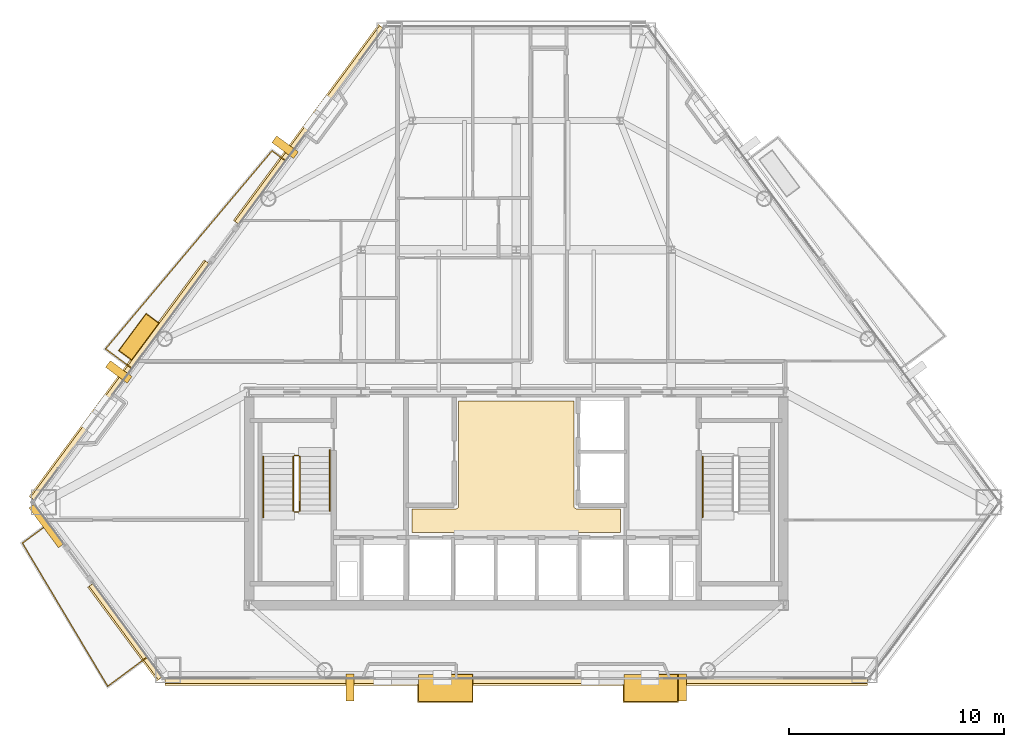
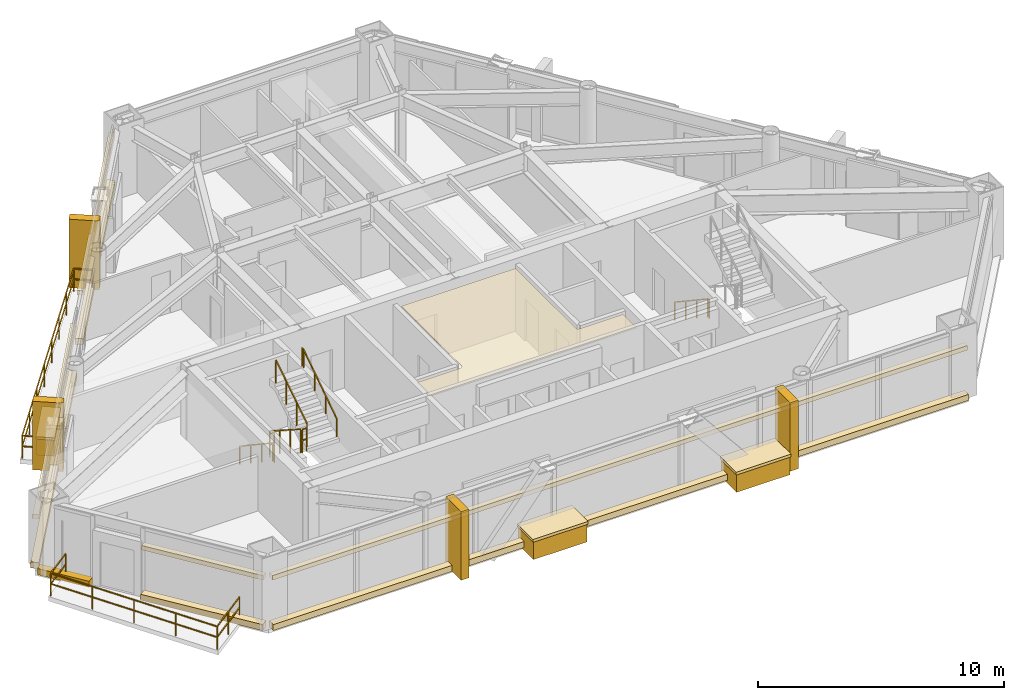
# One storey, part 11 of 13: 20 coverings, 9 railings.
"""IFC4 building model written with IfcOpenShell, lengths in metres."""

from ifc_helpers import new_model, si_unit, direction, frame, origin, origin_2d, place, context, subcontext, project, spatial, polyline, rectangle, outline, extrude, material, layer, layer_set, type_object, element, save


model = new_model("IFC4")

# Units and contexts
model_context = context("Model", 3, precision=1e-05, world=origin(), true_north=direction((0.0, 1.0)))
body_context = subcontext(model_context, "Body", "Model", "MODEL_VIEW")
ifc_project = project(units=[si_unit("LENGTHUNIT", "METRE"), si_unit("AREAUNIT", "SQUARE_METRE"), si_unit("VOLUMEUNIT", "CUBIC_METRE"), si_unit("PLANEANGLEUNIT", "RADIAN"), si_unit("MASSUNIT", "GRAM", prefix="KILO")], contexts=[model_context])

# Site, building, storey
site_placement = place(None, origin())
site = spatial("IfcSite", under=ifc_project, at=site_placement, CompositionType="ELEMENT")
building_placement = place(site_placement, origin())
building = spatial("IfcBuilding", under=site, at=building_placement, Name="Talgorran Terracotta Tower", CompositionType="ELEMENT")
storey_placement = place(building_placement, frame((0.0, 0.0, 106.800048828125)))
storey = spatial("IfcBuildingStorey", under=building, at=storey_placement, Name="L27", CompositionType="ELEMENT", Elevation=106.800048828125)

# Coverings
ifc_material_1 = material(Name="Kiln-Fired Terracotta Ochre Ceramic", Category="masonry")
ifc_layer_1 = layer(ifc_material_1, 0.179931640625, Name="COV_BAGUETTE_TERRACOTTA_SCREEN")
ifc_layer_set_1 = layer_set([ifc_layer_1], Name="Kiln-Fired Terracotta Ochre Ceramic")
covering_type_1 = type_object("IfcCoveringType", Name="COV_BAGUETTE_TERRACOTTA_SCREEN", PredefinedType="CLADDING", material=ifc_layer_set_1)
covering_1_placement = place(storey_placement, frame((-18.11865234375, -15.311279296875, 2.41015625), z_axis=(0.0, 0.0, 1.0), x_axis=(0.594920991954, -0.803784183305, 0.0)))
element("IfcCovering", 1, at=covering_1_placement, inside=storey, type_object=covering_type_1, Name="L27 Terracotta Baguette Solar Screen Assembly F11", PredefinedType="CLADDING", context=body_context, shape_type="SweptSolid", body=[
    extrude(rectangle(XDim=5.39306640625, YDim=0.260009765625, at=origin_2d()), origin(), (0.0, 0.0, 1.0), 0.219970703125),
])
covering_2_placement = place(storey_placement, frame((0.0, -17.60791015625, 2.41015625), z_axis=(0.0, 0.0, 1.0), x_axis=(1.0, 0.0, 0.0)))
element("IfcCovering", 2, at=covering_2_placement, inside=storey, type_object=covering_type_1, Name="L27 Terracotta Baguette Solar Screen Assembly F1", PredefinedType="CLADDING", context=body_context, shape_type="SweptSolid", body=[
    extrude(rectangle(XDim=32.59716796875, YDim=0.260009765625, at=origin_2d()), origin(), (0.0, 0.0, 1.0), 0.219970703125),
])
covering_3_placement = place(storey_placement, frame((-9.59814453125, 8.1923828125, 2.41015625), z_axis=(0.0, 0.0, 1.0), x_axis=(-0.594906963183, -0.803794566513, 0.0)))
element("IfcCovering", 3, at=covering_3_placement, inside=storey, type_object=covering_type_1, Name="L27 Terracotta Baguette Solar Screen Assembly F60", PredefinedType="CLADDING", context=body_context, shape_type="SweptSolid", body=[
    extrude(rectangle(XDim=11.298583984375, YDim=0.260009765625, at=origin_2d()), origin(), (0.0, 0.0, 1.0), 0.219970703125),
])
covering_4_placement = place(storey_placement, frame((-18.386962890625, -3.682373046875, 2.41015625), z_axis=(0.0, 0.0, 1.0), x_axis=(-0.594906963183, -0.803794566513, 0.0)))
element("IfcCovering", 4, at=covering_4_placement, inside=storey, type_object=covering_type_1, Name="L27 Terracotta Baguette Solar Screen Assembly F61", PredefinedType="CLADDING", context=body_context, shape_type="SweptSolid", body=[
    extrude(rectangle(XDim=13.6484375, YDim=0.260009765625, at=origin_2d()), origin(), (0.0, 0.0, 1.0), 0.219970703125),
])
ifc_material_2 = material(Name="Flush Moisture-Resistant Plaster")
ifc_layer_2 = layer(ifc_material_2, 0.01806640625, Name="COV_CEIL_PLASTER")
ifc_layer_set_2 = layer_set([ifc_layer_2], Name="Flush Moisture-Resistant Plaster")
covering_type_2 = type_object("IfcCoveringType", Name="COV_CEIL_PLASTER", PredefinedType="CEILING", material=ifc_layer_set_2)
covering_5_placement = place(storey_placement, frame((0.0, 0.0, 3.260009765625)))
element("IfcCovering", 5, at=covering_5_placement, inside=storey, type_object=covering_type_2, Name="CEIL-L27-1", PredefinedType="CEILING", context=body_context, shape_type="SweptSolid", body=[
    extrude(outline(polyline([(-4.830078125, -9.6201171875), (-2.800048828125, -9.6201171875), (-2.7880859375, -9.619384765625), (-2.776611328125, -9.61767578125), (-2.76513671875, -9.61474609375), (-2.754150390625, -9.61083984375), (-2.743408203125, -9.605712890625), (-2.7333984375, -9.599853515625), (-2.723876953125, -9.5927734375), (-2.715087890625, -9.5849609375), (-2.707275390625, -9.576171875), (-2.7001953125, -9.566650390625), (-2.694091796875, -9.556640625), (-2.689208984375, -9.5458984375), (-2.685302734375, -9.534912109375), (-2.682373046875, -9.5234375), (-2.6806640625, -9.51171875), (-2.679931640625, -9.5), (-2.679931640625, -4.6201171875), (2.679931640625, -4.6201171875), (2.679931640625, -9.5), (2.6806640625, -9.51171875), (2.682373046875, -9.5234375), (2.685302734375, -9.534912109375), (2.689208984375, -9.5458984375), (2.694091796875, -9.556640625), (2.7001953125, -9.566650390625), (2.707275390625, -9.576171875), (2.715087890625, -9.5849609375), (2.723876953125, -9.5927734375), (2.7333984375, -9.599853515625), (2.743408203125, -9.605712890625), (2.754150390625, -9.61083984375), (2.76513671875, -9.61474609375), (2.776611328125, -9.61767578125), (2.7880859375, -9.619384765625), (2.800048828125, -9.6201171875), (4.830078125, -9.6201171875), (4.830078125, -10.72998046875), (-4.830078125, -10.72998046875), (-4.830078125, -9.6201171875)])), origin(), (0.0, 0.0, 1.0), 0.02001953125),
])
ifc_material_3 = material(Name="Honed Limestone and Terracotta Planter", Category="masonry")
ifc_layer_3 = layer(ifc_material_3, 0.1201171875, Name="COV_PLANTER_BOX")
ifc_layer_set_3 = layer_set([ifc_layer_3], Name="Honed Limestone and Terracotta Planter")
covering_type_3 = type_object("IfcCoveringType", Name="COV_PLANTER_BOX", PredefinedType="CLADDING", material=ifc_layer_set_3)
for number, where, z_axis, x_axis, name in (
    (6, (6.2431640625, -17.94775390625, -0.179931640625), (0.0, 0.0, 1.0), (1.0, 0.0, 0.0), "L27 Staggered South Facade Planter Box 1"),
    (7, (-3.285888671875, -17.94775390625, -0.179931640625), (0.0, 0.0, 1.0), (1.0, 0.0, 0.0), "L27 Staggered South Facade Planter Box 2"),
):
    element("IfcCovering", number, at=place(storey_placement, frame(where, z_axis=z_axis, x_axis=x_axis)), inside=storey, type_object=covering_type_3, Name=name, PredefinedType="CLADDING", context=body_context, shape_type="SweptSolid", body=[
        extrude(rectangle(XDim=2.5, YDim=1.25, at=origin_2d()), origin(), (0.0, 0.0, 1.0), 0.919921875),
    ])
covering_6_placement = place(storey_placement, frame((-17.51953125, -1.637939453125, -0.02001953125), z_axis=(0.0, 0.0, 1.0), x_axis=(-0.594906963183, -0.803794566513, 0.0)))
element("IfcCovering", 8, at=covering_6_placement, inside=storey, type_object=covering_type_3, Name="L27 Staggered Balcony Planter Box BAL-NW", PredefinedType="CLADDING", context=body_context, shape_type="SweptSolid", body=[
    extrude(rectangle(XDim=2.10009765625, YDim=0.719970703125, at=origin_2d()), origin(), (0.0, 0.0, 1.0), 0.860107421875),
])
ifc_material_4 = material(Name="Kiln-Fired Terracotta Planter Rim", Category="masonry")
ifc_layer_4 = layer(ifc_material_4, 0.10009765625, Name="COV_PLANTER_RIM")
ifc_layer_set_4 = layer_set([ifc_layer_4], Name="Kiln-Fired Terracotta Planter Rim")
covering_type_4 = type_object("IfcCoveringType", Name="COV_PLANTER_RIM", PredefinedType="CLADDING", material=ifc_layer_set_4)
for number, where, z_axis, x_axis, name in (
    (9, (6.2431640625, -17.94775390625, 0.7099609375), (0.0, 0.0, 1.0), (1.0, 0.0, 0.0), "L27 South Planter Terracotta Rim 1"),
    (10, (-3.285888671875, -17.94775390625, 0.7099609375), (0.0, 0.0, 1.0), (1.0, 0.0, 0.0), "L27 South Planter Terracotta Rim 2"),
):
    element("IfcCovering", number, at=place(storey_placement, frame(where, z_axis=z_axis, x_axis=x_axis)), inside=storey, type_object=covering_type_4, Name=name, PredefinedType="CLADDING", context=body_context, shape_type="SweptSolid", body=[
        extrude(rectangle(XDim=2.580078125, YDim=1.320068359375, at=origin_2d()), origin(), (0.0, 0.0, 1.0), 0.139892578125),
    ])
covering_7_placement = place(storey_placement, frame((-17.51953125, -1.637939453125, 0.7998046875), z_axis=(0.0, 0.0, 1.0), x_axis=(-0.594906963183, -0.803794566513, 0.0)))
element("IfcCovering", 11, at=covering_7_placement, inside=storey, type_object=covering_type_4, Name="L27 Balcony Planter Terracotta Rim BAL-NW", PredefinedType="CLADDING", context=body_context, shape_type="SweptSolid", body=[
    extrude(rectangle(XDim=2.179931640625, YDim=0.780029296875, at=origin_2d()), origin(), (0.0, 0.0, 1.0), 0.1201171875),
])
ifc_material_5 = material(Name="Honed Limestone Cladding", Category="masonry")
ifc_layer_5 = layer(ifc_material_5, 0.094970703125, Name="COV_PORTAL_LIME")
ifc_layer_set_5 = layer_set([ifc_layer_5], Name="Honed Limestone Cladding")
covering_type_5 = type_object("IfcCoveringType", Name="COV_PORTAL_LIME", PredefinedType="CLADDING", material=ifc_layer_set_5)
for number, where, z_axis, x_axis, name in (
    (12, (-7.7216796875, -17.90771484375, -0.050048828125), (0.0, 0.0, 1.0), (1.0, 0.0, 0.0), "L27 White Striped Portal Fin F1-1"),
    (13, (-10.73095703125, 7.16650390625, -0.050048828125), (0.0, 0.0, 1.0), (-0.594906963183, -0.803794566513, 0.0), "L27 White Striped Portal Fin F5-1"),
):
    element("IfcCovering", number, at=place(storey_placement, frame(where, z_axis=z_axis, x_axis=x_axis)), inside=storey, type_object=covering_type_5, Name=name, PredefinedType="CLADDING", context=body_context, shape_type="SweptSolid", body=[
        extrude(rectangle(XDim=0.3798828125, YDim=1.25, at=origin_2d()), origin(), (0.0, 0.0, 1.0), 3.39990234375),
    ])
ifc_material_6 = material(Name="Kiln-Fired Terracotta Cladding", Category="masonry")
ifc_layer_6 = layer(ifc_material_6, 0.090087890625, Name="COV_PORTAL_TERRA")
ifc_layer_set_6 = layer_set([ifc_layer_6], Name="Kiln-Fired Terracotta Cladding")
covering_type_6 = type_object("IfcCoveringType", Name="COV_PORTAL_TERRA", PredefinedType="CLADDING", material=ifc_layer_set_6)
covering_8_placement = place(storey_placement, frame((-21.801025390625, -10.4033203125, -0.0400390625), z_axis=(0.0, 0.0, 1.0), x_axis=(0.594920991954, -0.803784183305, 0.0)))
element("IfcCovering", 14, at=covering_8_placement, inside=storey, type_object=covering_type_6, Name="L27 Striped Postmodern Portal Cladding Band F10", PredefinedType="CLADDING", context=body_context, shape_type="SweptSolid", body=[
    extrude(rectangle(XDim=2.298828125, YDim=0.340087890625, at=origin_2d()), origin(), (0.0, 0.0, 1.0), 0.300048828125),
])
covering_9_placement = place(storey_placement, frame((-18.15087890625, -15.335205078125, -0.0400390625), z_axis=(0.0, 0.0, 1.0), x_axis=(0.594920991954, -0.803784183305, 0.0)))
element("IfcCovering", 15, at=covering_9_placement, inside=storey, type_object=covering_type_6, Name="L27 Striped Postmodern Portal Cladding Band F11", PredefinedType="CLADDING", context=body_context, shape_type="SweptSolid", body=[
    extrude(rectangle(XDim=5.4130859375, YDim=0.340087890625, at=origin_2d()), origin(), (0.0, 0.0, 1.0), 0.300048828125),
])
covering_10_placement = place(storey_placement, frame((0.0, -17.647705078125, -0.0400390625), z_axis=(0.0, 0.0, 1.0), x_axis=(1.0, 0.0, 0.0)))
element("IfcCovering", 16, at=covering_10_placement, inside=storey, type_object=covering_type_6, Name="L27 Striped Postmodern Portal Cladding Band F1", PredefinedType="CLADDING", context=body_context, shape_type="SweptSolid", body=[
    extrude(rectangle(XDim=32.6171875, YDim=0.340087890625, at=origin_2d()), origin(), (0.0, 0.0, 1.0), 0.300048828125),
])
covering_11_placement = place(storey_placement, frame((-9.63037109375, 8.21630859375, -0.0400390625), z_axis=(0.0, 0.0, 1.0), x_axis=(-0.594906963183, -0.803794566513, 0.0)))
element("IfcCovering", 17, at=covering_11_placement, inside=storey, type_object=covering_type_6, Name="L27 Striped Postmodern Portal Cladding Band F60", PredefinedType="CLADDING", context=body_context, shape_type="SweptSolid", body=[
    extrude(rectangle(XDim=11.318603515625, YDim=0.340087890625, at=origin_2d()), origin(), (0.0, 0.0, 1.0), 0.300048828125),
])
covering_12_placement = place(storey_placement, frame((-18.419189453125, -3.65869140625, -0.0400390625), z_axis=(0.0, 0.0, 1.0), x_axis=(-0.594906963183, -0.803794566513, 0.0)))
element("IfcCovering", 18, at=covering_12_placement, inside=storey, type_object=covering_type_6, Name="L27 Striped Postmodern Portal Cladding Band F61", PredefinedType="CLADDING", context=body_context, shape_type="SweptSolid", body=[
    extrude(rectangle(XDim=13.66845703125, YDim=0.340087890625, at=origin_2d()), origin(), (0.0, 0.0, 1.0), 0.300048828125),
])
for number, where, z_axis, x_axis, name in (
    (19, (7.7216796875, -17.90771484375, -0.050048828125), (0.0, 0.0, 1.0), (1.0, 0.0, 0.0), "L27 Terracotta Striped Portal Fin F1-2"),
    (20, (-18.45263671875, -3.2666015625, -0.050048828125), (0.0, 0.0, 1.0), (-0.594906963183, -0.803794566513, 0.0), "L27 Terracotta Striped Portal Fin F5-2"),
):
    element("IfcCovering", number, at=place(storey_placement, frame(where, z_axis=z_axis, x_axis=x_axis)), inside=storey, type_object=covering_type_6, Name=name, PredefinedType="CLADDING", context=body_context, shape_type="SweptSolid", body=[
        extrude(rectangle(XDim=0.3798828125, YDim=1.25, at=origin_2d()), origin(), (0.0, 0.0, 1.0), 3.39990234375),
    ])

# Railings
ifc_material_7 = material(Name="Laminated Glass and Stainless Steel 316", Category="steel")
railing_type_1 = type_object("IfcRailingType", Name="RL_BALCONY_1150", PredefinedType="BALUSTRADE", material=ifc_material_7)
railing_1_placement = place(storey_placement, frame((-10.719482421875, 6.54296875, 0.0)))
element("IfcRailing", 21, at=railing_1_placement, inside=storey, type_object=railing_type_1, Name="RL-L27-BAL-BAL-NW", PredefinedType="BALUSTRADE", context=body_context, shape_type="SweptSolid", body=[
    extrude(rectangle(XDim=0.048095703125, YDim=0.048095703125, at=origin_2d()), frame((0.0, 0.0, 1.1259765625), z_axis=(-0.803832787442, 0.594855318403, 0.0), x_axis=(-0.594855318403, -0.803832787442, 0.0)), (0.0, 0.0, 1.0), 0.768798828125),
    extrude(rectangle(XDim=0.048095703125, YDim=0.048095703125, at=origin_2d()), frame((0.0, 0.0, 0.597900390625), z_axis=(-0.803832787442, 0.594855318403, 0.0), x_axis=(-0.594855318403, -0.803832787442, 0.0)), (0.0, 0.0, 1.0), 0.768798828125),
    extrude(rectangle(XDim=0.048095703125, YDim=0.048095703125, at=origin_2d()), frame((-0.617919921875, 0.457275390625, 1.1259765625), z_axis=(-0.643321231976, -0.765596363947, 0.0), x_axis=(0.765596363947, -0.643321231976, 0.0)), (0.0, 0.0, 1.0), 12.013916015625),
    extrude(rectangle(XDim=0.048095703125, YDim=0.048095703125, at=origin_2d()), frame((-0.617919921875, 0.457275390625, 0.597900390625), z_axis=(-0.643321231976, -0.765596363947, 0.0), x_axis=(0.765596363947, -0.643321231976, 0.0)), (0.0, 0.0, 1.0), 12.013916015625),
    extrude(rectangle(XDim=0.048095703125, YDim=0.048095703125, at=origin_2d()), frame((-8.3466796875, -8.740478515625, 1.1259765625), z_axis=(0.803769188378, -0.594941250725, 0.0), x_axis=(0.594941250725, 0.803769188378, 0.0)), (0.0, 0.0, 1.0), 1.50927734375),
    extrude(rectangle(XDim=0.048095703125, YDim=0.048095703125, at=origin_2d()), frame((-8.3466796875, -8.740478515625, 0.597900390625), z_axis=(0.803769188378, -0.594941250725, 0.0), x_axis=(0.594941250725, 0.803769188378, 0.0)), (0.0, 0.0, 1.0), 1.50927734375),
    extrude(rectangle(XDim=0.0419921875, YDim=0.0419921875, at=origin_2d()), origin(), (0.0, 0.0, 1.0), 1.101806640625),
    extrude(rectangle(XDim=0.0419921875, YDim=0.0419921875, at=origin_2d()), frame((-0.617919921875, 0.457275390625, 0.0)), (0.0, 0.0, 1.0), 1.101806640625),
    extrude(rectangle(XDim=0.0419921875, YDim=0.0419921875, at=origin_2d()), frame((-1.721923828125, -0.856689453125, 0.0)), (0.0, 0.0, 1.0), 1.101806640625),
    extrude(rectangle(XDim=0.0419921875, YDim=0.0419921875, at=origin_2d()), frame((-2.826171875, -2.170654296875, 0.0)), (0.0, 0.0, 1.0), 1.101806640625),
    extrude(rectangle(XDim=0.0419921875, YDim=0.0419921875, at=origin_2d()), frame((-3.93017578125, -3.484619140625, 0.0)), (0.0, 0.0, 1.0), 1.101806640625),
    extrude(rectangle(XDim=0.0419921875, YDim=0.0419921875, at=origin_2d()), frame((-5.034423828125, -4.798583984375, 0.0)), (0.0, 0.0, 1.0), 1.101806640625),
    extrude(rectangle(XDim=0.0419921875, YDim=0.0419921875, at=origin_2d()), frame((-6.138427734375, -6.112548828125, 0.0)), (0.0, 0.0, 1.0), 1.101806640625),
    extrude(rectangle(XDim=0.0419921875, YDim=0.0419921875, at=origin_2d()), frame((-7.24267578125, -7.426513671875, 0.0)), (0.0, 0.0, 1.0), 1.101806640625),
    extrude(rectangle(XDim=0.0419921875, YDim=0.0419921875, at=origin_2d()), frame((-8.3466796875, -8.740478515625, 0.0)), (0.0, 0.0, 1.0), 1.101806640625),
    extrude(rectangle(XDim=0.0419921875, YDim=0.0419921875, at=origin_2d()), frame((-7.133544921875, -9.638427734375, 0.0)), (0.0, 0.0, 1.0), 1.101806640625),
])
railing_2_placement = place(storey_placement, frame((-21.715087890625, -10.31787109375, 0.0)))
element("IfcRailing", 22, at=railing_2_placement, inside=storey, type_object=railing_type_1, Name="RL-L27-BAL-BAL-SW", PredefinedType="BALUSTRADE", context=body_context, shape_type="SweptSolid", body=[
    extrude(rectangle(XDim=0.048095703125, YDim=0.048095703125, at=origin_2d()), frame((0.0, 0.0, 1.1259765625), z_axis=(-0.803755142944, -0.594960225722, 0.0), x_axis=(0.594960225722, -0.803755142944, 0.0)), (0.0, 0.0, 1.0), 1.50732421875),
    extrude(rectangle(XDim=0.048095703125, YDim=0.048095703125, at=origin_2d()), frame((0.0, 0.0, 0.597900390625), z_axis=(-0.803755142944, -0.594960225722, 0.0), x_axis=(0.594960225722, -0.803755142944, 0.0)), (0.0, 0.0, 1.0), 1.50732421875),
    extrude(rectangle(XDim=0.048095703125, YDim=0.048095703125, at=origin_2d()), frame((-1.21142578125, -0.896728515625, 1.1259765625), z_axis=(0.511755628891, -0.85913105886, 0.0), x_axis=(0.85913105886, 0.511755628891, 0.0)), (0.0, 0.0, 1.0), 7.738037109375),
    extrude(rectangle(XDim=0.048095703125, YDim=0.048095703125, at=origin_2d()), frame((-1.21142578125, -0.896728515625, 0.597900390625), z_axis=(0.511755628891, -0.85913105886, 0.0), x_axis=(0.85913105886, 0.511755628891, 0.0)), (0.0, 0.0, 1.0), 7.738037109375),
    extrude(rectangle(XDim=0.048095703125, YDim=0.048095703125, at=origin_2d()), frame((2.74853515625, -7.544677734375, 1.1259765625), z_axis=(0.803788629332, 0.594914984983, 0.0), x_axis=(-0.594914984983, 0.803788629332, 0.0)), (0.0, 0.0, 1.0), 2.279296875),
    extrude(rectangle(XDim=0.048095703125, YDim=0.048095703125, at=origin_2d()), frame((2.74853515625, -7.544677734375, 0.597900390625), z_axis=(0.803788629332, 0.594914984983, 0.0), x_axis=(-0.594914984983, 0.803788629332, 0.0)), (0.0, 0.0, 1.0), 2.279296875),
    extrude(rectangle(XDim=0.0419921875, YDim=0.0419921875, at=origin_2d()), origin(), (0.0, 0.0, 1.0), 1.101806640625),
    extrude(rectangle(XDim=0.0419921875, YDim=0.0419921875, at=origin_2d()), frame((-1.21142578125, -0.896728515625, 0.0)), (0.0, 0.0, 1.0), 1.101806640625),
    extrude(rectangle(XDim=0.0419921875, YDim=0.0419921875, at=origin_2d()), frame((-0.221435546875, -2.55859375, 0.0)), (0.0, 0.0, 1.0), 1.101806640625),
    extrude(rectangle(XDim=0.0419921875, YDim=0.0419921875, at=origin_2d()), frame((0.7685546875, -4.220703125, 0.0)), (0.0, 0.0, 1.0), 1.101806640625),
    extrude(rectangle(XDim=0.0419921875, YDim=0.0419921875, at=origin_2d()), frame((1.758544921875, -5.8828125, 0.0)), (0.0, 0.0, 1.0), 1.101806640625),
    extrude(rectangle(XDim=0.0419921875, YDim=0.0419921875, at=origin_2d()), frame((2.74853515625, -7.544677734375, 0.0)), (0.0, 0.0, 1.0), 1.101806640625),
    extrude(rectangle(XDim=0.0419921875, YDim=0.0419921875, at=origin_2d()), frame((3.66455078125, -6.86669921875, 0.0)), (0.0, 0.0, 1.0), 1.101806640625),
    extrude(rectangle(XDim=0.0419921875, YDim=0.0419921875, at=origin_2d()), frame((4.58056640625, -6.188720703125, 0.0)), (0.0, 0.0, 1.0), 1.101806640625),
])
ifc_material_8 = material(Name="Steel S355 (300PLUS)", Category="steel")
railing_type_2 = type_object("IfcRailingType", Name="RL_HANDRAIL_920", PredefinedType="HANDRAIL", material=ifc_material_8)
railing_3_placement = place(storey_placement, frame((-11.75, -7.199951171875, 0.179931640625)))
element("IfcRailing", 23, at=railing_3_placement, inside=storey, type_object=railing_type_2, Name="L27 ST-01 stair handrail 1", PredefinedType="HANDRAIL", context=body_context, shape_type="SweptSolid", body=[
    extrude(rectangle(XDim=0.048095703125, YDim=0.048095703125, at=origin_2d()), frame((0.0, 0.0, 0.89599609375), z_axis=(0.0, -0.832038719335, 0.554717558338), x_axis=(1.0, 0.0, 0.0)), (0.0, 0.0, 1.0), 3.244873046875),
    extrude(rectangle(XDim=0.048095703125, YDim=0.048095703125, at=origin_2d()), frame((0.0, -2.699951171875, 2.69580078125), z_axis=(0.0, -1.0, 0.0), x_axis=(1.0, 0.0, 0.0)), (0.0, 0.0, 1.0), 0.1201171875),
    extrude(rectangle(XDim=0.0419921875, YDim=0.0419921875, at=origin_2d()), origin(), (0.0, 0.0, 1.0), 0.871826171875),
    extrude(rectangle(XDim=0.0419921875, YDim=0.0419921875, at=origin_2d()), frame((0.0, -0.89990234375, 0.60009765625)), (0.0, 0.0, 1.0), 0.871826171875),
    extrude(rectangle(XDim=0.0419921875, YDim=0.0419921875, at=origin_2d()), frame((0.0, -1.800048828125, 1.199951171875)), (0.0, 0.0, 1.0), 0.871826171875),
    extrude(rectangle(XDim=0.0419921875, YDim=0.0419921875, at=origin_2d()), frame((0.0, -2.699951171875, 1.800048828125)), (0.0, 0.0, 1.0), 0.871826171875),
    extrude(rectangle(XDim=0.0419921875, YDim=0.0419921875, at=origin_2d()), frame((0.0, -2.820068359375, 1.800048828125)), (0.0, 0.0, 1.0), 0.871826171875),
])
railing_4_placement = place(storey_placement, frame((-8.64990234375, -9.719970703125, 1.97998046875)))
element("IfcRailing", 24, at=railing_4_placement, inside=storey, type_object=railing_type_2, Name="L27 ST-01 stair handrail 2", PredefinedType="HANDRAIL", context=body_context, shape_type="SweptSolid", body=[
    extrude(rectangle(XDim=0.048095703125, YDim=0.048095703125, at=origin_2d()), frame((0.0, 0.0, 0.89599609375), z_axis=(0.0, 0.832038719335, 0.554717558338), x_axis=(-1.0, 0.0, 0.0)), (0.0, 0.0, 1.0), 3.244873046875),
    extrude(rectangle(XDim=0.048095703125, YDim=0.048095703125, at=origin_2d()), frame((0.0, 2.699951171875, 2.69580078125), z_axis=(0.0, 1.0, 0.0), x_axis=(-1.0, 0.0, 0.0)), (0.0, 0.0, 1.0), 0.1201171875),
    extrude(rectangle(XDim=0.0419921875, YDim=0.0419921875, at=origin_2d()), origin(), (0.0, 0.0, 1.0), 0.871826171875),
    extrude(rectangle(XDim=0.0419921875, YDim=0.0419921875, at=origin_2d()), frame((0.0, 0.89990234375, 0.60009765625)), (0.0, 0.0, 1.0), 0.871826171875),
    extrude(rectangle(XDim=0.0419921875, YDim=0.0419921875, at=origin_2d()), frame((0.0, 1.800048828125, 1.199951171875)), (0.0, 0.0, 1.0), 0.871826171875),
    extrude(rectangle(XDim=0.0419921875, YDim=0.0419921875, at=origin_2d()), frame((0.0, 2.699951171875, 1.800048828125)), (0.0, 0.0, 1.0), 0.871826171875),
    extrude(rectangle(XDim=0.0419921875, YDim=0.0419921875, at=origin_2d()), frame((0.0, 2.820068359375, 1.800048828125)), (0.0, 0.0, 1.0), 0.871826171875),
])
railing_5_placement = place(storey_placement, frame((8.64990234375, -7.199951171875, 0.179931640625)))
element("IfcRailing", 25, at=railing_5_placement, inside=storey, type_object=railing_type_2, Name="L27 ST-02 stair handrail 1", PredefinedType="HANDRAIL", context=body_context, shape_type="SweptSolid", body=[
    extrude(rectangle(XDim=0.048095703125, YDim=0.048095703125, at=origin_2d()), frame((0.0, 0.0, 0.89599609375), z_axis=(0.0, -0.832038719335, 0.554717558338), x_axis=(1.0, 0.0, 0.0)), (0.0, 0.0, 1.0), 3.244873046875),
    extrude(rectangle(XDim=0.048095703125, YDim=0.048095703125, at=origin_2d()), frame((0.0, -2.699951171875, 2.69580078125), z_axis=(0.0, -1.0, 0.0), x_axis=(1.0, 0.0, 0.0)), (0.0, 0.0, 1.0), 0.1201171875),
    extrude(rectangle(XDim=0.0419921875, YDim=0.0419921875, at=origin_2d()), origin(), (0.0, 0.0, 1.0), 0.871826171875),
    extrude(rectangle(XDim=0.0419921875, YDim=0.0419921875, at=origin_2d()), frame((0.0, -0.89990234375, 0.60009765625)), (0.0, 0.0, 1.0), 0.871826171875),
    extrude(rectangle(XDim=0.0419921875, YDim=0.0419921875, at=origin_2d()), frame((0.0, -1.800048828125, 1.199951171875)), (0.0, 0.0, 1.0), 0.871826171875),
    extrude(rectangle(XDim=0.0419921875, YDim=0.0419921875, at=origin_2d()), frame((0.0, -2.699951171875, 1.800048828125)), (0.0, 0.0, 1.0), 0.871826171875),
    extrude(rectangle(XDim=0.0419921875, YDim=0.0419921875, at=origin_2d()), frame((0.0, -2.820068359375, 1.800048828125)), (0.0, 0.0, 1.0), 0.871826171875),
])
railing_type_3 = type_object("IfcRailingType", Name="RL_STAIR_GUARD", PredefinedType="GUARDRAIL", material=ifc_material_8)
railing_6_placement = place(storey_placement, frame((-10.35009765625, -7.199951171875, 0.179931640625)))
element("IfcRailing", 26, at=railing_6_placement, inside=storey, type_object=railing_type_3, Name="L27 ST-01 stair guard 1", PredefinedType="GUARDRAIL", context=body_context, shape_type="SweptSolid", body=[
    extrude(rectangle(XDim=0.048095703125, YDim=0.048095703125, at=origin_2d()), frame((0.0, 0.0, 1.15576171875), z_axis=(0.0, -0.841162588446, 0.540782303519), x_axis=(1.0, 0.0, 0.0)), (0.0, 0.0, 1.0), 2.995849609375),
    extrude(rectangle(XDim=0.0419921875, YDim=0.0419921875, at=origin_2d()), origin(), (0.0, 0.0, 1.0), 1.1318359375),
    extrude(rectangle(XDim=0.0419921875, YDim=0.0419921875, at=origin_2d()), frame((0.0, -0.840087890625, 0.5400390625)), (0.0, 0.0, 1.0), 1.1318359375),
    extrude(rectangle(XDim=0.0419921875, YDim=0.0419921875, at=origin_2d()), frame((0.0, -1.679931640625, 1.080078125)), (0.0, 0.0, 1.0), 1.1318359375),
    extrude(rectangle(XDim=0.0419921875, YDim=0.0419921875, at=origin_2d()), frame((0.0, -2.52001953125, 1.6201171875)), (0.0, 0.0, 1.0), 1.1318359375),
])
railing_7_placement = place(storey_placement, frame((-10.300048828125, -9.77001953125, 1.800048828125)))
element("IfcRailing", 27, at=railing_7_placement, inside=storey, type_object=railing_type_3, Name="L27 ST-01 stair guard 2", PredefinedType="GUARDRAIL", context=body_context, shape_type="SweptSolid", body=[
    extrude(rectangle(XDim=0.048095703125, YDim=0.048095703125, at=origin_2d()), frame((0.0, 0.0, 1.15576171875), z_axis=(1.0, 0.0, 0.0), x_axis=(0.0, 1.0, 0.0)), (0.0, 0.0, 1.0), 0.199951171875),
    extrude(rectangle(XDim=0.048095703125, YDim=0.048095703125, at=origin_2d()), frame((0.0, 0.0, 0.613525390625), z_axis=(1.0, 0.0, 0.0), x_axis=(0.0, 1.0, 0.0)), (0.0, 0.0, 1.0), 0.199951171875),
    extrude(rectangle(XDim=0.0419921875, YDim=0.0419921875, at=origin_2d()), origin(), (0.0, 0.0, 1.0), 1.1318359375),
    extrude(rectangle(XDim=0.0419921875, YDim=0.0419921875, at=origin_2d()), frame((0.199951171875, 0.0, 0.0)), (0.0, 0.0, 1.0), 1.1318359375),
])
railing_8_placement = place(storey_placement, frame((-10.050048828125, -9.719970703125, 1.97998046875)))
element("IfcRailing", 28, at=railing_8_placement, inside=storey, type_object=railing_type_3, Name="L27 ST-01 stair guard 3", PredefinedType="GUARDRAIL", context=body_context, shape_type="SweptSolid", body=[
    extrude(rectangle(XDim=0.048095703125, YDim=0.048095703125, at=origin_2d()), frame((0.0, 0.0, 1.15576171875), z_axis=(0.0, 0.841199657755, 0.540724639528), x_axis=(-1.0, 0.0, 0.0)), (0.0, 0.0, 1.0), 2.995849609375),
    extrude(rectangle(XDim=0.0419921875, YDim=0.0419921875, at=origin_2d()), origin(), (0.0, 0.0, 1.0), 1.1318359375),
    extrude(rectangle(XDim=0.0419921875, YDim=0.0419921875, at=origin_2d()), frame((0.0, 0.840087890625, 0.5400390625)), (0.0, 0.0, 1.0), 1.1318359375),
    extrude(rectangle(XDim=0.0419921875, YDim=0.0419921875, at=origin_2d()), frame((0.0, 1.679931640625, 1.079833984375)), (0.0, 0.0, 1.0), 1.1318359375),
    extrude(rectangle(XDim=0.0419921875, YDim=0.0419921875, at=origin_2d()), frame((0.0, 2.52001953125, 1.619873046875)), (0.0, 0.0, 1.0), 1.1318359375),
])
railing_9_placement = place(storey_placement, frame((-10.300048828125, -7.14990234375, 0.0)))
element("IfcRailing", 29, at=railing_9_placement, inside=storey, type_object=railing_type_3, Name="L27 ST-01 stair guard 4", PredefinedType="GUARDRAIL", context=body_context, shape_type="SweptSolid", body=[
    extrude(rectangle(XDim=0.048095703125, YDim=0.048095703125, at=origin_2d()), frame((0.0, 0.0, 1.15576171875), z_axis=(1.0, 0.0, 0.0), x_axis=(0.0, 1.0, 0.0)), (0.0, 0.0, 1.0), 0.199951171875),
    extrude(rectangle(XDim=0.048095703125, YDim=0.048095703125, at=origin_2d()), frame((0.0, 0.0, 0.613525390625), z_axis=(1.0, 0.0, 0.0), x_axis=(0.0, 1.0, 0.0)), (0.0, 0.0, 1.0), 0.199951171875),
    extrude(rectangle(XDim=0.0419921875, YDim=0.0419921875, at=origin_2d()), origin(), (0.0, 0.0, 1.0), 1.1318359375),
    extrude(rectangle(XDim=0.0419921875, YDim=0.0419921875, at=origin_2d()), frame((0.199951171875, 0.0, 0.0)), (0.0, 0.0, 1.0), 1.1318359375),
])

save(model, "model.ifc")
